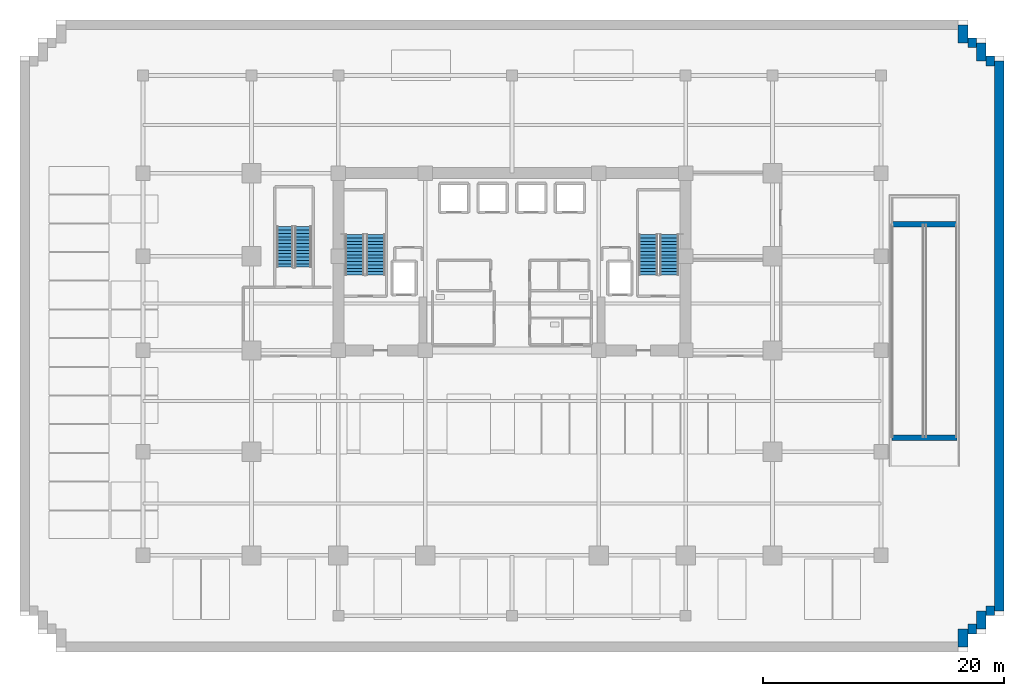
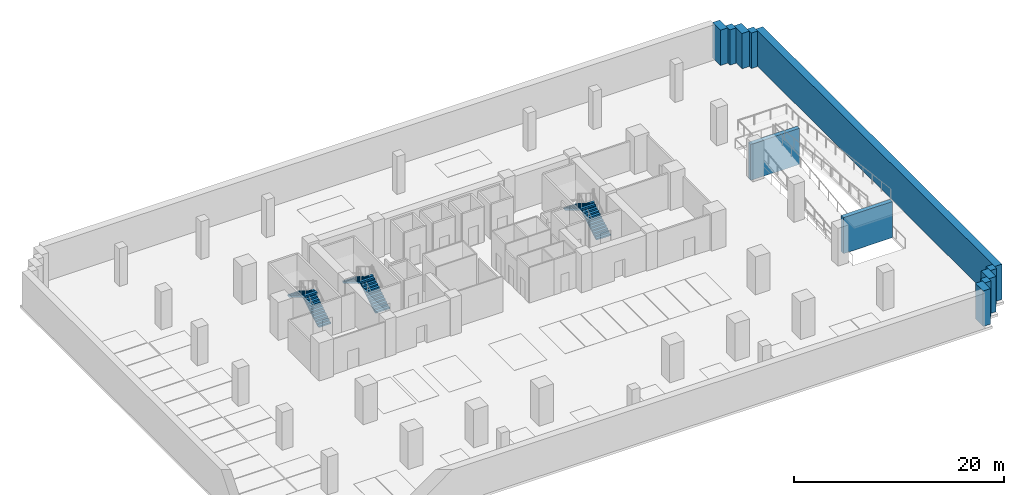
# One storey, part 6 of 13: 11 walls, 6 stair flights, 3 elements without a shape of their own.
"""IFC4 building model written with IfcOpenShell, lengths in metres."""

from ifc_helpers import new_model, si_unit, direction, frame, frame_2d, origin, place, context, subcontext, project, spatial, polyline, rectangle, outline, extrude, material, layer, layer_set, type_object, element, aggregate, save


model = new_model("IFC4")

# Units and contexts
model_context = context("Model", 3, precision=1e-05, world=origin(), true_north=direction((0.0, 1.0)))
body_context = subcontext(model_context, "Body", "Model", "MODEL_VIEW")
ifc_project = project(units=[si_unit("LENGTHUNIT", "METRE"), si_unit("AREAUNIT", "SQUARE_METRE"), si_unit("VOLUMEUNIT", "CUBIC_METRE"), si_unit("PLANEANGLEUNIT", "RADIAN"), si_unit("MASSUNIT", "GRAM", prefix="KILO")], contexts=[model_context])

# Site, building, storey
site_placement = place(None, origin())
site = spatial("IfcSite", under=ifc_project, at=site_placement, CompositionType="ELEMENT")
building_placement = place(site_placement, origin())
building = spatial("IfcBuilding", under=site, at=building_placement, Name="Zarnakvel Exchange Tower", CompositionType="ELEMENT")
storey_placement = place(building_placement, frame((0.0, 0.0, -8.800048828125)))
storey = spatial("IfcBuildingStorey", under=building, at=storey_placement, Name="B02", CompositionType="ELEMENT", Elevation=-8.800048828125)

# Walls
ifc_material_1 = material(Name="Concrete C50/60", Category="concrete")
ifc_layer_1 = layer(ifc_material_1, 0.449951171875)
ifc_layer_set_1 = layer_set([ifc_layer_1], Name="Concrete C50/60")
wall_type_1 = type_object("IfcWallType", Name="CW-C6", PredefinedType="SHEAR", material=ifc_layer_set_1)
for number, where, z_axis, x_axis, name in (
    (1, (31.5, 9.25, -2.199951171875), (0.0, 0.0, 1.0), (1.0, 0.0, 0.0), "B02 Ramp Mid-Landing Hinge Bearing Wall"),
    (2, (31.5, -8.449951171875, 0.0), (0.0, 0.0, 1.0), (1.0, 0.0, 0.0), "B02 Ramp Top-Landing Hinge Bearing Wall"),
):
    element("IfcWall", number, at=place(storey_placement, frame(where, z_axis=z_axis, x_axis=x_axis)), inside=storey, type_object=wall_type_1, Name=name, PredefinedType="SHEAR", context=body_context, shape_type="SweptSolid", body=[
        extrude(rectangle(XDim=5.39990234375, YDim=0.449951171875, at=frame_2d((2.699951171875, 0.0))), origin(), (0.0, 0.0, 1.0), 4.199951171875),
    ])
ifc_layer_2 = layer(ifc_material_1, 0.800048828125)
ifc_layer_set_2 = layer_set([ifc_layer_2], Name="Concrete C50/60")
wall_type_2 = type_object("IfcWallType", Name="RW-01", PredefinedType="USERDEFINED", material=ifc_layer_set_2)
wall_1_placement = place(storey_placement, frame((37.39990234375, 25.800048828125, 0.0), z_axis=(0.0, 0.0, 1.0), x_axis=(0.0, -1.0, 0.0)))
element("IfcWall", 3, at=wall_1_placement, inside=storey, type_object=wall_type_2, Name="B02 Perimeter Retaining Wall RW-01 #7", ObjectType="RETAININGWALL", PredefinedType="USERDEFINED", context=body_context, shape_type="SweptSolid", body=[
    extrude(rectangle(XDim=1.5, YDim=0.800048828125, at=frame_2d((0.75, 0.0))), origin(), (0.0, 0.0, 1.0), 4.1201171875),
])
wall_2_placement = place(storey_placement, frame((37.800048828125, 24.300048828125, 0.0), z_axis=(0.0, 0.0, 1.0), x_axis=(1.0, 0.0, 0.0)))
element("IfcWall", 4, at=wall_2_placement, inside=storey, type_object=wall_type_2, Name="B02 Perimeter Retaining Wall RW-01 #8", ObjectType="RETAININGWALL", PredefinedType="USERDEFINED", context=body_context, shape_type="SweptSolid", body=[
    extrude(rectangle(XDim=0.699951171875, YDim=0.800048828125, at=frame_2d((0.35009765625, 0.0))), origin(), (0.0, 0.0, 1.0), 4.1201171875),
])
wall_3_placement = place(storey_placement, frame((38.89990234375, 24.300048828125, 0.0), z_axis=(0.0, 0.0, 1.0), x_axis=(0.0, -1.0, 0.0)))
element("IfcWall", 5, at=wall_3_placement, inside=storey, type_object=wall_type_2, Name="B02 Perimeter Retaining Wall RW-01 #9", ObjectType="RETAININGWALL", PredefinedType="USERDEFINED", context=body_context, shape_type="SweptSolid", body=[
    extrude(rectangle(XDim=1.5, YDim=0.800048828125, at=frame_2d((0.75, 0.0))), origin(), (0.0, 0.0, 1.0), 4.1201171875),
])
wall_4_placement = place(storey_placement, frame((39.300048828125, 22.800048828125, 0.0), z_axis=(0.0, 0.0, 1.0), x_axis=(1.0, 0.0, 0.0)))
element("IfcWall", 6, at=wall_4_placement, inside=storey, type_object=wall_type_2, Name="B02 Perimeter Retaining Wall RW-01 #10", ObjectType="RETAININGWALL", PredefinedType="USERDEFINED", context=body_context, shape_type="SweptSolid", body=[
    extrude(rectangle(XDim=0.699951171875, YDim=0.800048828125, at=frame_2d((0.35009765625, 0.0))), origin(), (0.0, 0.0, 1.0), 4.1201171875),
])
wall_5_placement = place(storey_placement, frame((40.39990234375, 22.800048828125, 0.0), z_axis=(0.0, 0.0, 1.0), x_axis=(0.0, -1.0, 0.0)))
element("IfcWall", 7, at=wall_5_placement, inside=storey, type_object=wall_type_2, Name="B02 Perimeter Retaining Wall RW-01 #11", ObjectType="RETAININGWALL", PredefinedType="USERDEFINED", context=body_context, shape_type="SweptSolid", body=[
    extrude(rectangle(XDim=45.60009765625, YDim=0.800048828125, at=frame_2d((22.800048828125, 0.0))), origin(), (0.0, 0.0, 1.0), 4.1201171875),
])
wall_6_placement = place(storey_placement, frame((40.0, -22.800048828125, 0.0), z_axis=(0.0, 0.0, 1.0), x_axis=(-1.0, 0.0, 0.0)))
element("IfcWall", 8, at=wall_6_placement, inside=storey, type_object=wall_type_2, Name="B02 Perimeter Retaining Wall RW-01 #12", ObjectType="RETAININGWALL", PredefinedType="USERDEFINED", context=body_context, shape_type="SweptSolid", body=[
    extrude(rectangle(XDim=0.699951171875, YDim=0.800048828125, at=frame_2d((0.35009765625, 0.0))), origin(), (0.0, 0.0, 1.0), 4.1201171875),
])
wall_7_placement = place(storey_placement, frame((38.89990234375, -22.800048828125, 0.0), z_axis=(0.0, 0.0, 1.0), x_axis=(0.0, -1.0, 0.0)))
element("IfcWall", 9, at=wall_7_placement, inside=storey, type_object=wall_type_2, Name="B02 Perimeter Retaining Wall RW-01 #13", ObjectType="RETAININGWALL", PredefinedType="USERDEFINED", context=body_context, shape_type="SweptSolid", body=[
    extrude(rectangle(XDim=1.5, YDim=0.800048828125, at=frame_2d((0.75, 0.0))), origin(), (0.0, 0.0, 1.0), 4.1201171875),
])
wall_8_placement = place(storey_placement, frame((38.5, -24.300048828125, 0.0), z_axis=(0.0, 0.0, 1.0), x_axis=(-1.0, 0.0, 0.0)))
element("IfcWall", 10, at=wall_8_placement, inside=storey, type_object=wall_type_2, Name="B02 Perimeter Retaining Wall RW-01 #14", ObjectType="RETAININGWALL", PredefinedType="USERDEFINED", context=body_context, shape_type="SweptSolid", body=[
    extrude(rectangle(XDim=0.699951171875, YDim=0.800048828125, at=frame_2d((0.35009765625, 0.0))), origin(), (0.0, 0.0, 1.0), 4.1201171875),
])
wall_9_placement = place(storey_placement, frame((37.39990234375, -24.300048828125, 0.0), z_axis=(0.0, 0.0, 1.0), x_axis=(0.0, -1.0, 0.0)))
element("IfcWall", 11, at=wall_9_placement, inside=storey, type_object=wall_type_2, Name="B02 Perimeter Retaining Wall RW-01 #15", ObjectType="RETAININGWALL", PredefinedType="USERDEFINED", context=body_context, shape_type="SweptSolid", body=[
    extrude(rectangle(XDim=1.5, YDim=0.800048828125, at=frame_2d((0.75, 0.0))), origin(), (0.0, 0.0, 1.0), 4.1201171875),
])

# Stair, stair flights
ifc_material_2 = material(Name="Concrete C40/50", Category="concrete")
stair_type_1 = type_object("IfcStairType", Name="STR-01", PredefinedType="HALF_TURN_STAIR", material=ifc_material_2)
stair_1_placement = place(storey_placement, origin())
stair_1 = element("IfcStair", 12, at=stair_1_placement, inside=storey, type_object=stair_type_1, Name="B02 Protected Core Exit Stair ST-01", PredefinedType="HALF_TURN_STAIR")
stair_flight_type_1 = type_object("IfcStairFlightType", Name="FLT-01", PredefinedType="STRAIGHT", material=ifc_material_2)
stair_flight_1_placement = place(storey_placement, frame((-11.31494140625, 5.050048828125, 0.0), z_axis=(0.0, 0.0, 1.0), x_axis=(0.0, 1.0, 0.0)))
stair_flight_1 = element("IfcStairFlight", 13, at=stair_flight_1_placement, type_object=stair_flight_type_1, Name="ST-01 flight 1", NumberOfRisers=13, NumberOfTreads=12, PredefinedType="STRAIGHT", RiserHeight=0.169230769, TreadLength=0.28, context=body_context, shape_type="SweptSolid", body=[
    extrude(outline(polyline([(0.0, 0.0), (0.0, 0.169189453125), (0.280029296875, 0.169189453125), (0.280029296875, 0.33837890625), (0.56005859375, 0.33837890625), (0.56005859375, 0.5078125), (0.840087890625, 0.5078125), (0.840087890625, 0.677001953125), (1.1201171875, 0.677001953125), (1.1201171875, 0.84619140625), (1.39990234375, 0.84619140625), (1.39990234375, 1.015380859375), (1.679931640625, 1.015380859375), (1.679931640625, 1.1845703125), (1.9599609375, 1.1845703125), (1.9599609375, 1.353759765625), (2.239990234375, 1.353759765625), (2.239990234375, 1.523193359375), (2.52001953125, 1.523193359375), (2.52001953125, 1.6923828125), (2.800048828125, 1.6923828125), (2.800048828125, 1.861572265625), (3.080078125, 1.861572265625), (3.080078125, 2.03076171875), (3.360107421875, 2.03076171875), (3.360107421875, 2.199951171875), (3.360107421875, 1.855712890625), (0.289794921875, 0.0), (0.0, 0.0)])), frame((0.0, 0.77490234375, 0.0), z_axis=(0.0, -1.0, 0.0), x_axis=(1.0, 0.0, 0.0)), (0.0, 0.0, 1.0), 1.550048828125),
])
stair_flight_2_placement = place(storey_placement, frame((-13.02490234375, 8.409912109375, 2.199951171875), z_axis=(0.0, 0.0, 1.0), x_axis=(0.0, -1.0, 0.0)))
stair_flight_2 = element("IfcStairFlight", 14, at=stair_flight_2_placement, type_object=stair_flight_type_1, Name="ST-01 flight 2", NumberOfRisers=13, NumberOfTreads=12, PredefinedType="STRAIGHT", RiserHeight=0.169230769, TreadLength=0.28, context=body_context, shape_type="SweptSolid", body=[
    extrude(outline(polyline([(0.0, 0.0), (0.0, 0.169189453125), (0.280029296875, 0.169189453125), (0.280029296875, 0.33837890625), (0.56005859375, 0.33837890625), (0.56005859375, 0.5078125), (0.840087890625, 0.5078125), (0.840087890625, 0.677001953125), (1.1201171875, 0.677001953125), (1.1201171875, 0.84619140625), (1.39990234375, 0.84619140625), (1.39990234375, 1.015380859375), (1.679931640625, 1.015380859375), (1.679931640625, 1.1845703125), (1.9599609375, 1.1845703125), (1.9599609375, 1.353759765625), (2.239990234375, 1.353759765625), (2.239990234375, 1.523193359375), (2.52001953125, 1.523193359375), (2.52001953125, 1.6923828125), (2.800048828125, 1.6923828125), (2.800048828125, 1.861572265625), (3.080078125, 1.861572265625), (3.080078125, 2.03076171875), (3.360107421875, 2.03076171875), (3.360107421875, 2.199951171875), (3.360107421875, 1.855712890625), (0.289794921875, 0.0), (0.0, 0.0)])), frame((0.0, 0.77490234375, 0.0), z_axis=(0.0, -1.0, 0.0), x_axis=(1.0, 0.0, 0.0)), (0.0, 0.0, 1.0), 1.550048828125),
])
aggregate(stair_1, [stair_flight_1, stair_flight_2])

stair_2_placement = place(storey_placement, origin())
stair_2 = element("IfcStair", 15, at=stair_2_placement, inside=storey, type_object=stair_type_1, Name="B02 Protected Core Exit Stair ST-02", PredefinedType="HALF_TURN_STAIR")
stair_flight_3_placement = place(storey_placement, frame((13.02490234375, 5.050048828125, 0.0), z_axis=(0.0, 0.0, 1.0), x_axis=(0.0, 1.0, 0.0)))
stair_flight_3 = element("IfcStairFlight", 16, at=stair_flight_3_placement, type_object=stair_flight_type_1, Name="ST-02 flight 1", NumberOfRisers=13, NumberOfTreads=12, PredefinedType="STRAIGHT", RiserHeight=0.169230769, TreadLength=0.28, context=body_context, shape_type="SweptSolid", body=[
    extrude(outline(polyline([(0.0, 0.0), (0.0, 0.169189453125), (0.280029296875, 0.169189453125), (0.280029296875, 0.33837890625), (0.56005859375, 0.33837890625), (0.56005859375, 0.5078125), (0.840087890625, 0.5078125), (0.840087890625, 0.677001953125), (1.1201171875, 0.677001953125), (1.1201171875, 0.84619140625), (1.39990234375, 0.84619140625), (1.39990234375, 1.015380859375), (1.679931640625, 1.015380859375), (1.679931640625, 1.1845703125), (1.9599609375, 1.1845703125), (1.9599609375, 1.353759765625), (2.239990234375, 1.353759765625), (2.239990234375, 1.523193359375), (2.52001953125, 1.523193359375), (2.52001953125, 1.6923828125), (2.800048828125, 1.6923828125), (2.800048828125, 1.861572265625), (3.080078125, 1.861572265625), (3.080078125, 2.03076171875), (3.360107421875, 2.03076171875), (3.360107421875, 2.199951171875), (3.360107421875, 1.855712890625), (0.289794921875, 0.0), (0.0, 0.0)])), frame((0.0, 0.77490234375, 0.0), z_axis=(0.0, -1.0, 0.0), x_axis=(1.0, 0.0, 0.0)), (0.0, 0.0, 1.0), 1.550048828125),
])
stair_flight_4_placement = place(storey_placement, frame((11.31494140625, 8.409912109375, 2.199951171875), z_axis=(0.0, 0.0, 1.0), x_axis=(0.0, -1.0, 0.0)))
stair_flight_4 = element("IfcStairFlight", 17, at=stair_flight_4_placement, type_object=stair_flight_type_1, Name="ST-02 flight 2", NumberOfRisers=13, NumberOfTreads=12, PredefinedType="STRAIGHT", RiserHeight=0.169230769, TreadLength=0.28, context=body_context, shape_type="SweptSolid", body=[
    extrude(outline(polyline([(0.0, 0.0), (0.0, 0.169189453125), (0.280029296875, 0.169189453125), (0.280029296875, 0.33837890625), (0.56005859375, 0.33837890625), (0.56005859375, 0.5078125), (0.840087890625, 0.5078125), (0.840087890625, 0.677001953125), (1.1201171875, 0.677001953125), (1.1201171875, 0.84619140625), (1.39990234375, 0.84619140625), (1.39990234375, 1.015380859375), (1.679931640625, 1.015380859375), (1.679931640625, 1.1845703125), (1.9599609375, 1.1845703125), (1.9599609375, 1.353759765625), (2.239990234375, 1.353759765625), (2.239990234375, 1.523193359375), (2.52001953125, 1.523193359375), (2.52001953125, 1.6923828125), (2.800048828125, 1.6923828125), (2.800048828125, 1.861572265625), (3.080078125, 1.861572265625), (3.080078125, 2.03076171875), (3.360107421875, 2.03076171875), (3.360107421875, 2.199951171875), (3.360107421875, 1.855712890625), (0.289794921875, 0.0), (0.0, 0.0)])), frame((0.0, 0.77490234375, 0.0), z_axis=(0.0, -1.0, 0.0), x_axis=(1.0, 0.0, 0.0)), (0.0, 0.0, 1.0), 1.550048828125),
])
aggregate(stair_2, [stair_flight_3, stair_flight_4])

stair_type_2 = type_object("IfcStairType", Name="STR-03", PredefinedType="HALF_TURN_STAIR", material=ifc_material_2)
stair_3_placement = place(storey_placement, origin())
stair_3 = element("IfcStair", 18, at=stair_3_placement, inside=storey, type_object=stair_type_2, Name="B02 Substructure Car Park Exit Stair ST-05", PredefinedType="HALF_TURN_STAIR")
stair_flight_type_2 = type_object("IfcStairFlightType", Name="FLT-03", PredefinedType="STRAIGHT", material=ifc_material_2)
stair_flight_5_placement = place(storey_placement, frame((-17.31494140625, 5.699951171875, 0.0), z_axis=(0.0, 0.0, 1.0), x_axis=(0.0, 1.0, 0.0)))
stair_flight_5 = element("IfcStairFlight", 19, at=stair_flight_5_placement, type_object=stair_flight_type_2, Name="ST-05 flight 1", NumberOfRisers=13, NumberOfTreads=12, PredefinedType="STRAIGHT", RiserHeight=0.169230769, TreadLength=0.28, context=body_context, shape_type="SweptSolid", body=[
    extrude(outline(polyline([(0.0, 0.0), (0.0, 0.169189453125), (0.280029296875, 0.169189453125), (0.280029296875, 0.33837890625), (0.56005859375, 0.33837890625), (0.56005859375, 0.5078125), (0.840087890625, 0.5078125), (0.840087890625, 0.677001953125), (1.1201171875, 0.677001953125), (1.1201171875, 0.84619140625), (1.39990234375, 0.84619140625), (1.39990234375, 1.015380859375), (1.679931640625, 1.015380859375), (1.679931640625, 1.1845703125), (1.9599609375, 1.1845703125), (1.9599609375, 1.353759765625), (2.239990234375, 1.353759765625), (2.239990234375, 1.523193359375), (2.52001953125, 1.523193359375), (2.52001953125, 1.6923828125), (2.800048828125, 1.6923828125), (2.800048828125, 1.861572265625), (3.080078125, 1.861572265625), (3.080078125, 2.03076171875), (3.360107421875, 2.03076171875), (3.360107421875, 2.199951171875), (3.360107421875, 1.855712890625), (0.289794921875, 0.0), (0.0, 0.0)])), frame((0.0, 0.675048828125, 0.0), z_axis=(0.0, -1.0, 0.0), x_axis=(1.0, 0.0, 0.0)), (0.0, 0.0, 1.0), 1.35009765625),
])
stair_flight_6_placement = place(storey_placement, frame((-18.824951171875, 9.06005859375, 2.199951171875), z_axis=(0.0, 0.0, 1.0), x_axis=(0.0, -1.0, 0.0)))
stair_flight_6 = element("IfcStairFlight", 20, at=stair_flight_6_placement, type_object=stair_flight_type_2, Name="ST-05 flight 2", NumberOfRisers=13, NumberOfTreads=12, PredefinedType="STRAIGHT", RiserHeight=0.169230769, TreadLength=0.28, context=body_context, shape_type="SweptSolid", body=[
    extrude(outline(polyline([(0.0, 0.0), (0.0, 0.169189453125), (0.280029296875, 0.169189453125), (0.280029296875, 0.33837890625), (0.56005859375, 0.33837890625), (0.56005859375, 0.5078125), (0.840087890625, 0.5078125), (0.840087890625, 0.677001953125), (1.1201171875, 0.677001953125), (1.1201171875, 0.84619140625), (1.39990234375, 0.84619140625), (1.39990234375, 1.015380859375), (1.679931640625, 1.015380859375), (1.679931640625, 1.1845703125), (1.9599609375, 1.1845703125), (1.9599609375, 1.353759765625), (2.239990234375, 1.353759765625), (2.239990234375, 1.523193359375), (2.52001953125, 1.523193359375), (2.52001953125, 1.6923828125), (2.800048828125, 1.6923828125), (2.800048828125, 1.861572265625), (3.080078125, 1.861572265625), (3.080078125, 2.03076171875), (3.360107421875, 2.03076171875), (3.360107421875, 2.199951171875), (3.360107421875, 1.855712890625), (0.289794921875, 0.0), (0.0, 0.0)])), frame((0.0, 0.675048828125, 0.0), z_axis=(0.0, -1.0, 0.0), x_axis=(1.0, 0.0, 0.0)), (0.0, 0.0, 1.0), 1.35009765625),
])
aggregate(stair_3, [stair_flight_5, stair_flight_6])

save(model, "model.ifc")
